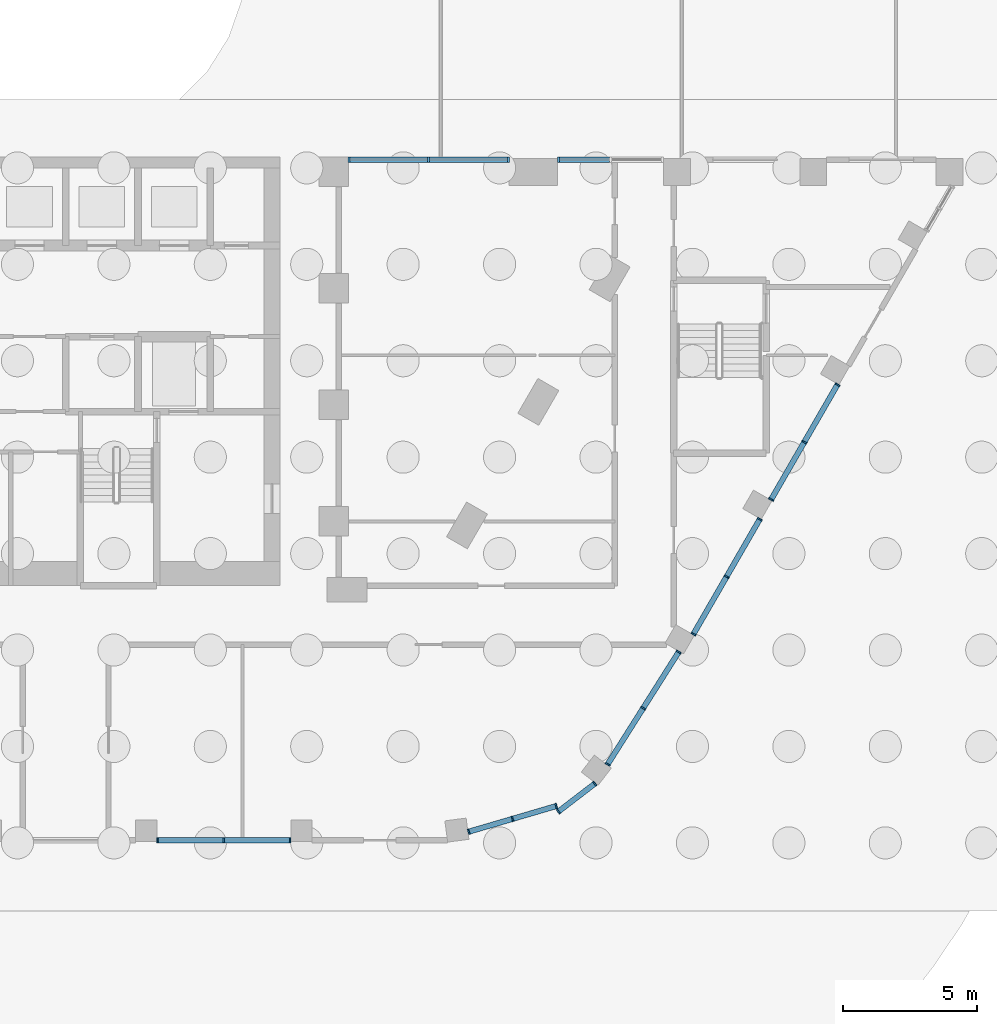
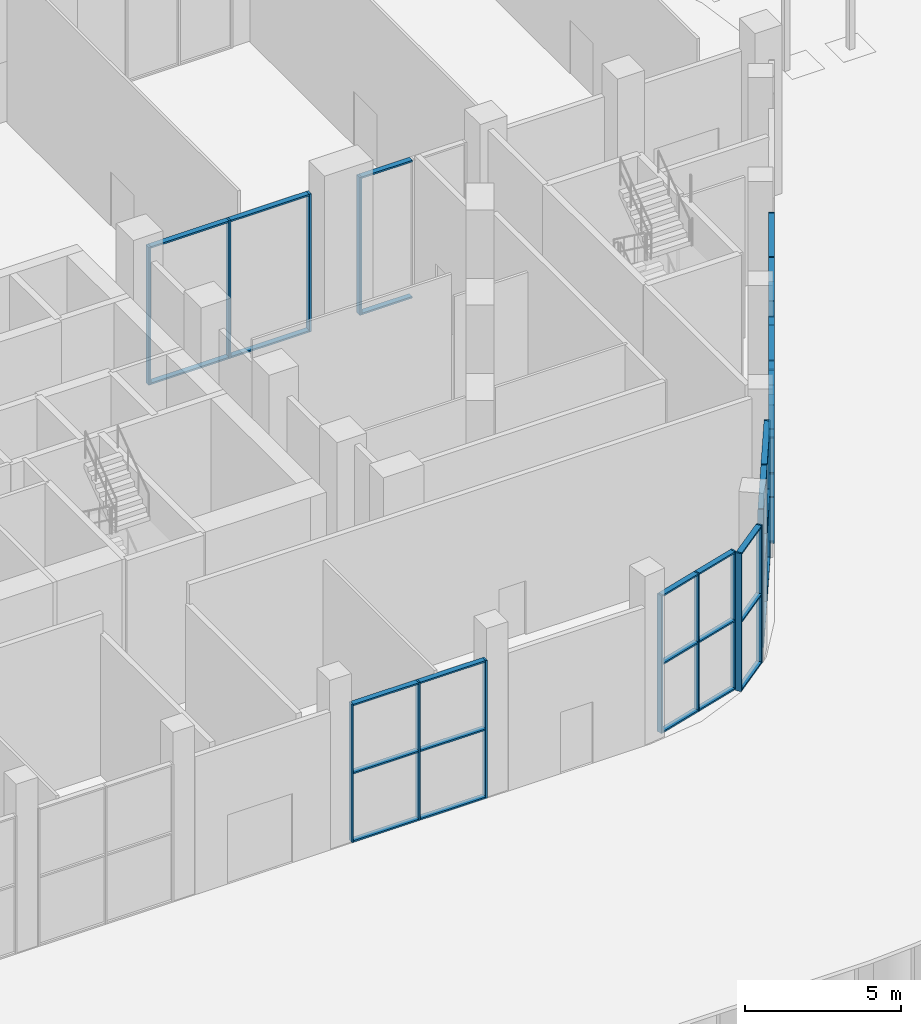
# One storey, part 10 of 44: 60 members, 8 elements without a shape of their own.
"""IFC4 building model written with IfcOpenShell, lengths in metres."""

from ifc_helpers import new_model, si_unit, direction, frame, origin, origin_2d, place, context, subcontext, project, spatial, rectangle, extrude, material, layer, layer_set, material_profile, profile_set, type_object, element, aggregate, save


model = new_model("IFC4")

# Units and contexts
model_context = context("Model", 3, precision=1e-05, world=origin(), true_north=direction((0.0, 1.0)))
body_context = subcontext(model_context, "Body", "Model", "MODEL_VIEW")
ifc_project = project(units=[si_unit("LENGTHUNIT", "METRE"), si_unit("AREAUNIT", "SQUARE_METRE"), si_unit("VOLUMEUNIT", "CUBIC_METRE"), si_unit("PLANEANGLEUNIT", "RADIAN"), si_unit("MASSUNIT", "GRAM", prefix="KILO")], contexts=[model_context])

# Site, building, storey
site_placement = place(None, origin())
site = spatial("IfcSite", under=ifc_project, at=site_placement, CompositionType="ELEMENT")
building_placement = place(site_placement, origin())
building = spatial("IfcBuilding", under=site, at=building_placement, Name="Nakaniwa Court", CompositionType="ELEMENT")
storey_placement = place(building_placement, origin())
storey = spatial("IfcBuildingStorey", under=building, at=storey_placement, Name="L00", CompositionType="ELEMENT", Elevation=0.0)

# Curtain wall, members
ifc_material_1 = material(Name="Black anodised aluminium frame with dark low-E laminated double glazing", Category="aluminium")
ifc_layer_1 = layer(ifc_material_1, 0.199951171875)
ifc_layer_set_1 = layer_set([ifc_layer_1], Name="Black anodised aluminium frame with dark low-E laminated double glazing")
curtain_wall_type_1 = type_object("IfcCurtainWallType", Name="Concourse stick curtain wall", PredefinedType="NOTDEFINED", material=ifc_layer_set_1)
curtain_wall_1_placement = place(storey_placement, origin())
curtain_wall_1 = element("IfcCurtainWall", 1, at=curtain_wall_1_placement, inside=storey, type_object=curtain_wall_type_1, Name="L00 curtain wall CW2 00", PredefinedType="NOTDEFINED")
ifc_material_2 = material(Name="Black anodised aluminium extrusion", Category="aluminium")
ifc_material_profile_1 = material_profile(ifc_material_2, rectangle(XDim=0.199951171875, YDim=0.06005859375, at=origin_2d()), Name="Concourse stick curtain wall mullion 60x200")
ifc_profile_set_1 = profile_set([ifc_material_profile_1], Name="Black anodised aluminium extrusion")
member_type_1 = type_object("IfcMemberType", Name="Concourse stick curtain wall mullion 60x200", PredefinedType="MULLION", material=ifc_profile_set_1)
member_1_placement = place(storey_placement, frame((103.437255859375, 54.794189453125, 0.0), z_axis=(0.0, 0.0, 1.0), x_axis=(-0.866037354758, 0.499979299736, 0.0)))
member_1 = element("IfcMember", 2, at=member_1_placement, type_object=member_type_1, Name="CW2 mullion 1", PredefinedType="MULLION", context=body_context, shape_type="SweptSolid", body=[
    extrude(rectangle(XDim=0.199951171875, YDim=0.06005859375, at=origin_2d()), origin(), (0.0, 0.0, 1.0), 5.39990234375),
])
member_2_placement = place(storey_placement, frame((104.6748046875, 56.93798828125, 0.0), z_axis=(0.0, 0.0, 1.0), x_axis=(-0.866037354758, 0.499979299736, 0.0)))
member_2 = element("IfcMember", 3, at=member_2_placement, type_object=member_type_1, Name="CW2 mullion 2", PredefinedType="MULLION", context=body_context, shape_type="SweptSolid", body=[
    extrude(rectangle(XDim=0.199951171875, YDim=0.06005859375, at=origin_2d()), origin(), (0.0, 0.0, 1.0), 5.39990234375),
])
member_3_placement = place(storey_placement, frame((105.912353515625, 59.08154296875, 0.0), z_axis=(0.0, 0.0, 1.0), x_axis=(-0.866037354758, 0.499979299736, 0.0)))
member_3 = element("IfcMember", 4, at=member_3_placement, type_object=member_type_1, Name="CW2 mullion 3", PredefinedType="MULLION", context=body_context, shape_type="SweptSolid", body=[
    extrude(rectangle(XDim=0.199951171875, YDim=0.06005859375, at=origin_2d()), origin(), (0.0, 0.0, 1.0), 5.39990234375),
])

curtain_wall_2_placement = place(storey_placement, origin())
curtain_wall_2 = element("IfcCurtainWall", 5, at=curtain_wall_2_placement, inside=storey, type_object=curtain_wall_type_1, Name="L00 curtain wall CW2 01", PredefinedType="NOTDEFINED")
member_4_placement = place(storey_placement, frame((106.33837890625, 59.8193359375, 0.0), z_axis=(0.0, 0.0, 1.0), x_axis=(-0.866032365426, 0.499987941889, 0.0)))
member_4 = element("IfcMember", 6, at=member_4_placement, type_object=member_type_1, Name="CW2 mullion 1", PredefinedType="MULLION", context=body_context, shape_type="SweptSolid", body=[
    extrude(rectangle(XDim=0.199951171875, YDim=0.06005859375, at=origin_2d()), origin(), (0.0, 0.0, 1.0), 5.39990234375),
])
member_5_placement = place(storey_placement, frame((107.575927734375, 61.962890625, 0.0), z_axis=(0.0, 0.0, 1.0), x_axis=(-0.866032365426, 0.499987941889, 0.0)))
member_5 = element("IfcMember", 7, at=member_5_placement, type_object=member_type_1, Name="CW2 mullion 2", PredefinedType="MULLION", context=body_context, shape_type="SweptSolid", body=[
    extrude(rectangle(XDim=0.199951171875, YDim=0.06005859375, at=origin_2d()), origin(), (0.0, 0.0, 1.0), 5.39990234375),
])
member_6_placement = place(storey_placement, frame((108.8134765625, 64.1064453125, 0.0), z_axis=(0.0, 0.0, 1.0), x_axis=(-0.866032365426, 0.499987941889, 0.0)))
member_6 = element("IfcMember", 8, at=member_6_placement, type_object=member_type_1, Name="CW2 mullion 3", PredefinedType="MULLION", context=body_context, shape_type="SweptSolid", body=[
    extrude(rectangle(XDim=0.199951171875, YDim=0.06005859375, at=origin_2d()), origin(), (0.0, 0.0, 1.0), 5.39990234375),
])

curtain_wall_3_placement = place(storey_placement, origin())
curtain_wall_3 = element("IfcCurtainWall", 9, at=curtain_wall_3_placement, inside=storey, type_object=curtain_wall_type_1, Name="L00 curtain wall CW2 22", PredefinedType="NOTDEFINED")
member_7_placement = place(storey_placement, frame((83.428466796875, 47.10009765625, 0.0), z_axis=(0.0, 0.0, 1.0), x_axis=(0.0, 1.0, 0.0)))
member_7 = element("IfcMember", 10, at=member_7_placement, type_object=member_type_1, Name="CW2 mullion 1", PredefinedType="MULLION", context=body_context, shape_type="SweptSolid", body=[
    extrude(rectangle(XDim=0.199951171875, YDim=0.06005859375, at=origin_2d()), origin(), (0.0, 0.0, 1.0), 5.39990234375),
])
member_8_placement = place(storey_placement, frame((85.903564453125, 47.10009765625, 0.0), z_axis=(0.0, 0.0, 1.0), x_axis=(0.0, 1.0, 0.0)))
member_8 = element("IfcMember", 11, at=member_8_placement, type_object=member_type_1, Name="CW2 mullion 2", PredefinedType="MULLION", context=body_context, shape_type="SweptSolid", body=[
    extrude(rectangle(XDim=0.199951171875, YDim=0.06005859375, at=origin_2d()), origin(), (0.0, 0.0, 1.0), 5.39990234375),
])
member_9_placement = place(storey_placement, frame((88.37890625, 47.10009765625, 0.0), z_axis=(0.0, 0.0, 1.0), x_axis=(0.0, 1.0, 0.0)))
member_9 = element("IfcMember", 12, at=member_9_placement, type_object=member_type_1, Name="CW2 mullion 3", PredefinedType="MULLION", context=body_context, shape_type="SweptSolid", body=[
    extrude(rectangle(XDim=0.199951171875, YDim=0.06005859375, at=origin_2d()), origin(), (0.0, 0.0, 1.0), 5.39990234375),
])

curtain_wall_4_placement = place(storey_placement, origin())
curtain_wall_4 = element("IfcCurtainWall", 13, at=curtain_wall_4_placement, inside=storey, type_object=curtain_wall_type_1, Name="L00 curtain wall CW2 24", PredefinedType="NOTDEFINED")
member_10_placement = place(storey_placement, frame((95.05029296875, 47.4169921875, 0.0), z_axis=(0.0, 0.0, 1.0), x_axis=(-0.281441998377, 0.959578241494, 0.0)))
member_10 = element("IfcMember", 14, at=member_10_placement, type_object=member_type_1, Name="CW2 mullion 1", PredefinedType="MULLION", context=body_context, shape_type="SweptSolid", body=[
    extrude(rectangle(XDim=0.199951171875, YDim=0.06005859375, at=origin_2d()), origin(), (0.0, 0.0, 1.0), 5.39990234375),
])
member_11_placement = place(storey_placement, frame((96.68212890625, 47.8955078125, 0.0), z_axis=(0.0, 0.0, 1.0), x_axis=(-0.281441998377, 0.959578241494, 0.0)))
member_11 = element("IfcMember", 15, at=member_11_placement, type_object=member_type_1, Name="CW2 mullion 2", PredefinedType="MULLION", context=body_context, shape_type="SweptSolid", body=[
    extrude(rectangle(XDim=0.199951171875, YDim=0.06005859375, at=origin_2d()), origin(), (0.0, 0.0, 1.0), 5.39990234375),
])
member_12_placement = place(storey_placement, frame((98.31396484375, 48.374267578125, 0.0), z_axis=(0.0, 0.0, 1.0), x_axis=(-0.281441998377, 0.959578241494, 0.0)))
member_12 = element("IfcMember", 16, at=member_12_placement, type_object=member_type_1, Name="CW2 mullion 3", PredefinedType="MULLION", context=body_context, shape_type="SweptSolid", body=[
    extrude(rectangle(XDim=0.199951171875, YDim=0.06005859375, at=origin_2d()), origin(), (0.0, 0.0, 1.0), 5.39990234375),
])

curtain_wall_5_placement = place(storey_placement, origin())
curtain_wall_5 = element("IfcCurtainWall", 17, at=curtain_wall_5_placement, inside=storey, type_object=curtain_wall_type_1, Name="L00 curtain wall CW2 25", PredefinedType="NOTDEFINED")
member_13_placement = place(storey_placement, frame((98.396728515625, 48.16943359375, 0.0), z_axis=(0.0, 0.0, 1.0), x_axis=(-0.608772408689, 0.793344915165, 0.0)))
member_13 = element("IfcMember", 18, at=member_13_placement, type_object=member_type_1, Name="CW2 mullion 1", PredefinedType="MULLION", context=body_context, shape_type="SweptSolid", body=[
    extrude(rectangle(XDim=0.199951171875, YDim=0.06005859375, at=origin_2d()), origin(), (0.0, 0.0, 1.0), 5.39990234375),
])
member_14_placement = place(storey_placement, frame((99.751220703125, 49.208740234375, 0.0), z_axis=(0.0, 0.0, 1.0), x_axis=(-0.608772408689, 0.793344915165, 0.0)))
member_14 = element("IfcMember", 19, at=member_14_placement, type_object=member_type_1, Name="CW2 mullion 2", PredefinedType="MULLION", context=body_context, shape_type="SweptSolid", body=[
    extrude(rectangle(XDim=0.199951171875, YDim=0.06005859375, at=origin_2d()), origin(), (0.0, 0.0, 1.0), 5.39990234375),
])

curtain_wall_6_placement = place(storey_placement, origin())
curtain_wall_6 = element("IfcCurtainWall", 20, at=curtain_wall_6_placement, inside=storey, type_object=curtain_wall_type_1, Name="L00 curtain wall CW2 26", PredefinedType="NOTDEFINED")
member_15_placement = place(storey_placement, frame((100.234130859375, 49.932861328125, 0.0), z_axis=(0.0, 0.0, 1.0), x_axis=(-0.845107295343, 0.534596725914, 0.0)))
member_15 = element("IfcMember", 21, at=member_15_placement, type_object=member_type_1, Name="CW2 mullion 1", PredefinedType="MULLION", context=body_context, shape_type="SweptSolid", body=[
    extrude(rectangle(XDim=0.199951171875, YDim=0.06005859375, at=origin_2d()), origin(), (0.0, 0.0, 1.0), 5.39990234375),
])
member_16_placement = place(storey_placement, frame((101.560546875, 52.029541015625, 0.0), z_axis=(0.0, 0.0, 1.0), x_axis=(-0.845107295343, 0.534596725914, 0.0)))
member_16 = element("IfcMember", 22, at=member_16_placement, type_object=member_type_1, Name="CW2 mullion 2", PredefinedType="MULLION", context=body_context, shape_type="SweptSolid", body=[
    extrude(rectangle(XDim=0.199951171875, YDim=0.06005859375, at=origin_2d()), origin(), (0.0, 0.0, 1.0), 5.39990234375),
])
member_17_placement = place(storey_placement, frame((102.88671875, 54.1259765625, 0.0), z_axis=(0.0, 0.0, 1.0), x_axis=(-0.845107295343, 0.534596725914, 0.0)))
member_17 = element("IfcMember", 23, at=member_17_placement, type_object=member_type_1, Name="CW2 mullion 3", PredefinedType="MULLION", context=body_context, shape_type="SweptSolid", body=[
    extrude(rectangle(XDim=0.199951171875, YDim=0.06005859375, at=origin_2d()), origin(), (0.0, 0.0, 1.0), 5.39990234375),
])

# Member
ifc_material_profile_2 = material_profile(ifc_material_2, rectangle(XDim=0.199951171875, YDim=0.06005859375, at=origin_2d()), Name="Concourse stick curtain wall transom 60x200")
ifc_profile_set_2 = profile_set([ifc_material_profile_2], Name="Black anodised aluminium extrusion")
member_type_2 = type_object("IfcMemberType", Name="Concourse stick curtain wall transom 60x200", PredefinedType="USERDEFINED", material=ifc_profile_set_2)
member_18_placement = place(storey_placement, frame((103.4521484375, 54.8203125, 0.030029296875), z_axis=(0.499987887718, 0.866032396701, 0.0), x_axis=(-0.866032396701, 0.499987887718, 0.0)))
member_18 = element("IfcMember", 24, at=member_18_placement, type_object=member_type_2, Name="CW2 transom 1.1", ObjectType="TRANSOM", PredefinedType="USERDEFINED", context=body_context, shape_type="SweptSolid", body=[
    extrude(rectangle(XDim=0.199951171875, YDim=0.06005859375, at=origin_2d()), origin(), (0.0, 0.0, 1.0), 2.4150390625),
])

member_19_placement = place(storey_placement, frame((103.4521484375, 54.8203125, 2.699951171875), z_axis=(0.499987887718, 0.866032396701, 0.0), x_axis=(-0.866032396701, 0.499987887718, 0.0)))
member_19 = element("IfcMember", 25, at=member_19_placement, type_object=member_type_2, Name="CW2 transom 1.2", ObjectType="TRANSOM", PredefinedType="USERDEFINED", context=body_context, shape_type="SweptSolid", body=[
    extrude(rectangle(XDim=0.199951171875, YDim=0.06005859375, at=origin_2d()), origin(), (0.0, 0.0, 1.0), 2.4150390625),
])

member_20_placement = place(storey_placement, frame((103.4521484375, 54.8203125, 5.3701171875), z_axis=(0.499987887718, 0.866032396701, 0.0), x_axis=(-0.866032396701, 0.499987887718, 0.0)))
member_20 = element("IfcMember", 26, at=member_20_placement, type_object=member_type_2, Name="CW2 transom 1.3", ObjectType="TRANSOM", PredefinedType="USERDEFINED", context=body_context, shape_type="SweptSolid", body=[
    extrude(rectangle(XDim=0.199951171875, YDim=0.06005859375, at=origin_2d()), origin(), (0.0, 0.0, 1.0), 2.4150390625),
])

member_21_placement = place(storey_placement, frame((104.689697265625, 56.9638671875, 0.030029296875), z_axis=(0.499987887718, 0.866032396701, 0.0), x_axis=(-0.866032396701, 0.499987887718, 0.0)))
member_21 = element("IfcMember", 27, at=member_21_placement, type_object=member_type_2, Name="CW2 transom 2.1", ObjectType="TRANSOM", PredefinedType="USERDEFINED", context=body_context, shape_type="SweptSolid", body=[
    extrude(rectangle(XDim=0.199951171875, YDim=0.06005859375, at=origin_2d()), origin(), (0.0, 0.0, 1.0), 2.4150390625),
])

member_22_placement = place(storey_placement, frame((104.689697265625, 56.9638671875, 2.699951171875), z_axis=(0.499987887718, 0.866032396701, 0.0), x_axis=(-0.866032396701, 0.499987887718, 0.0)))
member_22 = element("IfcMember", 28, at=member_22_placement, type_object=member_type_2, Name="CW2 transom 2.2", ObjectType="TRANSOM", PredefinedType="USERDEFINED", context=body_context, shape_type="SweptSolid", body=[
    extrude(rectangle(XDim=0.199951171875, YDim=0.06005859375, at=origin_2d()), origin(), (0.0, 0.0, 1.0), 2.4150390625),
])

member_23_placement = place(storey_placement, frame((104.689697265625, 56.9638671875, 5.3701171875), z_axis=(0.499987887718, 0.866032396701, 0.0), x_axis=(-0.866032396701, 0.499987887718, 0.0)))
member_23 = element("IfcMember", 29, at=member_23_placement, type_object=member_type_2, Name="CW2 transom 2.3", ObjectType="TRANSOM", PredefinedType="USERDEFINED", context=body_context, shape_type="SweptSolid", body=[
    extrude(rectangle(XDim=0.199951171875, YDim=0.06005859375, at=origin_2d()), origin(), (0.0, 0.0, 1.0), 2.4150390625),
])

aggregate(curtain_wall_1, [member_1, member_2, member_3, member_18, member_19, member_20, member_21, member_22, member_23])

member_24_placement = place(storey_placement, frame((106.353271484375, 59.84521484375, 0.030029296875), z_axis=(0.499987887718, 0.866032396701, 0.0), x_axis=(-0.866032396701, 0.499987887718, 0.0)))
member_24 = element("IfcMember", 30, at=member_24_placement, type_object=member_type_2, Name="CW2 transom 1.1", ObjectType="TRANSOM", PredefinedType="USERDEFINED", context=body_context, shape_type="SweptSolid", body=[
    extrude(rectangle(XDim=0.199951171875, YDim=0.06005859375, at=origin_2d()), origin(), (0.0, 0.0, 1.0), 2.4150390625),
])

member_25_placement = place(storey_placement, frame((106.353271484375, 59.84521484375, 2.699951171875), z_axis=(0.499987887718, 0.866032396701, 0.0), x_axis=(-0.866032396701, 0.499987887718, 0.0)))
member_25 = element("IfcMember", 31, at=member_25_placement, type_object=member_type_2, Name="CW2 transom 1.2", ObjectType="TRANSOM", PredefinedType="USERDEFINED", context=body_context, shape_type="SweptSolid", body=[
    extrude(rectangle(XDim=0.199951171875, YDim=0.06005859375, at=origin_2d()), origin(), (0.0, 0.0, 1.0), 2.4150390625),
])

member_26_placement = place(storey_placement, frame((106.353271484375, 59.84521484375, 5.3701171875), z_axis=(0.499987887718, 0.866032396701, 0.0), x_axis=(-0.866032396701, 0.499987887718, 0.0)))
member_26 = element("IfcMember", 32, at=member_26_placement, type_object=member_type_2, Name="CW2 transom 1.3", ObjectType="TRANSOM", PredefinedType="USERDEFINED", context=body_context, shape_type="SweptSolid", body=[
    extrude(rectangle(XDim=0.199951171875, YDim=0.06005859375, at=origin_2d()), origin(), (0.0, 0.0, 1.0), 2.4150390625),
])

member_27_placement = place(storey_placement, frame((107.5908203125, 61.98876953125, 0.030029296875), z_axis=(0.499987887718, 0.866032396701, 0.0), x_axis=(-0.866032396701, 0.499987887718, 0.0)))
member_27 = element("IfcMember", 33, at=member_27_placement, type_object=member_type_2, Name="CW2 transom 2.1", ObjectType="TRANSOM", PredefinedType="USERDEFINED", context=body_context, shape_type="SweptSolid", body=[
    extrude(rectangle(XDim=0.199951171875, YDim=0.06005859375, at=origin_2d()), origin(), (0.0, 0.0, 1.0), 2.4150390625),
])

member_28_placement = place(storey_placement, frame((107.5908203125, 61.98876953125, 2.699951171875), z_axis=(0.499987887718, 0.866032396701, 0.0), x_axis=(-0.866032396701, 0.499987887718, 0.0)))
member_28 = element("IfcMember", 34, at=member_28_placement, type_object=member_type_2, Name="CW2 transom 2.2", ObjectType="TRANSOM", PredefinedType="USERDEFINED", context=body_context, shape_type="SweptSolid", body=[
    extrude(rectangle(XDim=0.199951171875, YDim=0.06005859375, at=origin_2d()), origin(), (0.0, 0.0, 1.0), 2.4150390625),
])

member_29_placement = place(storey_placement, frame((107.5908203125, 61.98876953125, 5.3701171875), z_axis=(0.499987887718, 0.866032396701, 0.0), x_axis=(-0.866032396701, 0.499987887718, 0.0)))
member_29 = element("IfcMember", 35, at=member_29_placement, type_object=member_type_2, Name="CW2 transom 2.3", ObjectType="TRANSOM", PredefinedType="USERDEFINED", context=body_context, shape_type="SweptSolid", body=[
    extrude(rectangle(XDim=0.199951171875, YDim=0.06005859375, at=origin_2d()), origin(), (0.0, 0.0, 1.0), 2.4150390625),
])

aggregate(curtain_wall_2, [member_4, member_5, member_6, member_24, member_25, member_26, member_27, member_28, member_29])

member_30_placement = place(storey_placement, frame((83.45849609375, 47.10009765625, 0.030029296875), z_axis=(1.0, 0.0, 0.0), x_axis=(0.0, 1.0, 0.0)))
member_30 = element("IfcMember", 36, at=member_30_placement, type_object=member_type_2, Name="CW2 transom 1.1", ObjectType="TRANSOM", PredefinedType="USERDEFINED", context=body_context, shape_type="SweptSolid", body=[
    extrude(rectangle(XDim=0.199951171875, YDim=0.06005859375, at=origin_2d()), origin(), (0.0, 0.0, 1.0), 2.4150390625),
])

member_31_placement = place(storey_placement, frame((83.45849609375, 47.10009765625, 2.699951171875), z_axis=(1.0, 0.0, 0.0), x_axis=(0.0, 1.0, 0.0)))
member_31 = element("IfcMember", 37, at=member_31_placement, type_object=member_type_2, Name="CW2 transom 1.2", ObjectType="TRANSOM", PredefinedType="USERDEFINED", context=body_context, shape_type="SweptSolid", body=[
    extrude(rectangle(XDim=0.199951171875, YDim=0.06005859375, at=origin_2d()), origin(), (0.0, 0.0, 1.0), 2.4150390625),
])

member_32_placement = place(storey_placement, frame((83.45849609375, 47.10009765625, 5.3701171875), z_axis=(1.0, 0.0, 0.0), x_axis=(0.0, 1.0, 0.0)))
member_32 = element("IfcMember", 38, at=member_32_placement, type_object=member_type_2, Name="CW2 transom 1.3", ObjectType="TRANSOM", PredefinedType="USERDEFINED", context=body_context, shape_type="SweptSolid", body=[
    extrude(rectangle(XDim=0.199951171875, YDim=0.06005859375, at=origin_2d()), origin(), (0.0, 0.0, 1.0), 2.4150390625),
])

member_33_placement = place(storey_placement, frame((85.93359375, 47.10009765625, 0.030029296875), z_axis=(1.0, 0.0, 0.0), x_axis=(0.0, 1.0, 0.0)))
member_33 = element("IfcMember", 39, at=member_33_placement, type_object=member_type_2, Name="CW2 transom 2.1", ObjectType="TRANSOM", PredefinedType="USERDEFINED", context=body_context, shape_type="SweptSolid", body=[
    extrude(rectangle(XDim=0.199951171875, YDim=0.06005859375, at=origin_2d()), origin(), (0.0, 0.0, 1.0), 2.415283203125),
])

member_34_placement = place(storey_placement, frame((85.93359375, 47.10009765625, 2.699951171875), z_axis=(1.0, 0.0, 0.0), x_axis=(0.0, 1.0, 0.0)))
member_34 = element("IfcMember", 40, at=member_34_placement, type_object=member_type_2, Name="CW2 transom 2.2", ObjectType="TRANSOM", PredefinedType="USERDEFINED", context=body_context, shape_type="SweptSolid", body=[
    extrude(rectangle(XDim=0.199951171875, YDim=0.06005859375, at=origin_2d()), origin(), (0.0, 0.0, 1.0), 2.415283203125),
])

member_35_placement = place(storey_placement, frame((85.93359375, 47.10009765625, 5.3701171875), z_axis=(1.0, 0.0, 0.0), x_axis=(0.0, 1.0, 0.0)))
member_35 = element("IfcMember", 41, at=member_35_placement, type_object=member_type_2, Name="CW2 transom 2.3", ObjectType="TRANSOM", PredefinedType="USERDEFINED", context=body_context, shape_type="SweptSolid", body=[
    extrude(rectangle(XDim=0.199951171875, YDim=0.06005859375, at=origin_2d()), origin(), (0.0, 0.0, 1.0), 2.415283203125),
])

aggregate(curtain_wall_3, [member_7, member_8, member_9, member_30, member_31, member_32, member_33, member_34, member_35])

member_36_placement = place(storey_placement, frame((95.0791015625, 47.42529296875, 0.030029296875), z_axis=(0.959545398178, 0.281553953684, 0.0), x_axis=(-0.281553953684, 0.959545398178, 0.0)))
member_36 = element("IfcMember", 42, at=member_36_placement, type_object=member_type_2, Name="CW2 transom 1.1", ObjectType="TRANSOM", PredefinedType="USERDEFINED", context=body_context, shape_type="SweptSolid", body=[
    extrude(rectangle(XDim=0.199951171875, YDim=0.06005859375, at=origin_2d()), origin(), (0.0, 0.0, 1.0), 1.640625),
])

member_37_placement = place(storey_placement, frame((95.0791015625, 47.42529296875, 2.699951171875), z_axis=(0.959545398178, 0.281553953684, 0.0), x_axis=(-0.281553953684, 0.959545398178, 0.0)))
member_37 = element("IfcMember", 43, at=member_37_placement, type_object=member_type_2, Name="CW2 transom 1.2", ObjectType="TRANSOM", PredefinedType="USERDEFINED", context=body_context, shape_type="SweptSolid", body=[
    extrude(rectangle(XDim=0.199951171875, YDim=0.06005859375, at=origin_2d()), origin(), (0.0, 0.0, 1.0), 1.640625),
])

member_38_placement = place(storey_placement, frame((95.0791015625, 47.42529296875, 5.3701171875), z_axis=(0.959545398178, 0.281553953684, 0.0), x_axis=(-0.281553953684, 0.959545398178, 0.0)))
member_38 = element("IfcMember", 44, at=member_38_placement, type_object=member_type_2, Name="CW2 transom 1.3", ObjectType="TRANSOM", PredefinedType="USERDEFINED", context=body_context, shape_type="SweptSolid", body=[
    extrude(rectangle(XDim=0.199951171875, YDim=0.06005859375, at=origin_2d()), origin(), (0.0, 0.0, 1.0), 1.640625),
])

member_39_placement = place(storey_placement, frame((96.7109375, 47.904052734375, 0.030029296875), z_axis=(0.95958559393, 0.281416928989, 0.0), x_axis=(-0.281416928989, 0.95958559393, 0.0)))
member_39 = element("IfcMember", 45, at=member_39_placement, type_object=member_type_2, Name="CW2 transom 2.1", ObjectType="TRANSOM", PredefinedType="USERDEFINED", context=body_context, shape_type="SweptSolid", body=[
    extrude(rectangle(XDim=0.199951171875, YDim=0.06005859375, at=origin_2d()), origin(), (0.0, 0.0, 1.0), 1.640625),
])

member_40_placement = place(storey_placement, frame((96.7109375, 47.904052734375, 2.699951171875), z_axis=(0.95958559393, 0.281416928989, 0.0), x_axis=(-0.281416928989, 0.95958559393, 0.0)))
member_40 = element("IfcMember", 46, at=member_40_placement, type_object=member_type_2, Name="CW2 transom 2.2", ObjectType="TRANSOM", PredefinedType="USERDEFINED", context=body_context, shape_type="SweptSolid", body=[
    extrude(rectangle(XDim=0.199951171875, YDim=0.06005859375, at=origin_2d()), origin(), (0.0, 0.0, 1.0), 1.640625),
])

member_41_placement = place(storey_placement, frame((96.7109375, 47.904052734375, 5.3701171875), z_axis=(0.95958559393, 0.281416928989, 0.0), x_axis=(-0.281416928989, 0.95958559393, 0.0)))
member_41 = element("IfcMember", 47, at=member_41_placement, type_object=member_type_2, Name="CW2 transom 2.3", ObjectType="TRANSOM", PredefinedType="USERDEFINED", context=body_context, shape_type="SweptSolid", body=[
    extrude(rectangle(XDim=0.199951171875, YDim=0.06005859375, at=origin_2d()), origin(), (0.0, 0.0, 1.0), 1.640625),
])

aggregate(curtain_wall_4, [member_10, member_11, member_12, member_36, member_37, member_38, member_39, member_40, member_41])

member_42_placement = place(storey_placement, frame((98.42041015625, 48.187744140625, 0.030029296875), z_axis=(0.793389227658, 0.608714656827, 0.0), x_axis=(-0.608714656827, 0.793389227658, 0.0)))
member_42 = element("IfcMember", 48, at=member_42_placement, type_object=member_type_2, Name="CW2 transom 1.1", ObjectType="TRANSOM", PredefinedType="USERDEFINED", context=body_context, shape_type="SweptSolid", body=[
    extrude(rectangle(XDim=0.199951171875, YDim=0.06005859375, at=origin_2d()), origin(), (0.0, 0.0, 1.0), 1.647216796875),
])

member_43_placement = place(storey_placement, frame((98.42041015625, 48.187744140625, 2.699951171875), z_axis=(0.793389227658, 0.608714656827, 0.0), x_axis=(-0.608714656827, 0.793389227658, 0.0)))
member_43 = element("IfcMember", 49, at=member_43_placement, type_object=member_type_2, Name="CW2 transom 1.2", ObjectType="TRANSOM", PredefinedType="USERDEFINED", context=body_context, shape_type="SweptSolid", body=[
    extrude(rectangle(XDim=0.199951171875, YDim=0.06005859375, at=origin_2d()), origin(), (0.0, 0.0, 1.0), 1.647216796875),
])

member_44_placement = place(storey_placement, frame((98.42041015625, 48.187744140625, 5.3701171875), z_axis=(0.793389227658, 0.608714656827, 0.0), x_axis=(-0.608714656827, 0.793389227658, 0.0)))
member_44 = element("IfcMember", 50, at=member_44_placement, type_object=member_type_2, Name="CW2 transom 1.3", ObjectType="TRANSOM", PredefinedType="USERDEFINED", context=body_context, shape_type="SweptSolid", body=[
    extrude(rectangle(XDim=0.199951171875, YDim=0.06005859375, at=origin_2d()), origin(), (0.0, 0.0, 1.0), 1.647216796875),
])

aggregate(curtain_wall_5, [member_13, member_14, member_42, member_43, member_44])

member_45_placement = place(storey_placement, frame((100.250244140625, 49.958251953125, 0.030029296875), z_axis=(0.534596147172, 0.845107661442, 0.0), x_axis=(-0.845107661442, 0.534596147172, 0.0)))
member_45 = element("IfcMember", 51, at=member_45_placement, type_object=member_type_2, Name="CW2 transom 1.1", ObjectType="TRANSOM", PredefinedType="USERDEFINED", context=body_context, shape_type="SweptSolid", body=[
    extrude(rectangle(XDim=0.199951171875, YDim=0.06005859375, at=origin_2d()), origin(), (0.0, 0.0, 1.0), 2.4208984375),
])

member_46_placement = place(storey_placement, frame((100.250244140625, 49.958251953125, 2.699951171875), z_axis=(0.534596147172, 0.845107661442, 0.0), x_axis=(-0.845107661442, 0.534596147172, 0.0)))
member_46 = element("IfcMember", 52, at=member_46_placement, type_object=member_type_2, Name="CW2 transom 1.2", ObjectType="TRANSOM", PredefinedType="USERDEFINED", context=body_context, shape_type="SweptSolid", body=[
    extrude(rectangle(XDim=0.199951171875, YDim=0.06005859375, at=origin_2d()), origin(), (0.0, 0.0, 1.0), 2.4208984375),
])

member_47_placement = place(storey_placement, frame((100.250244140625, 49.958251953125, 5.3701171875), z_axis=(0.534596147172, 0.845107661442, 0.0), x_axis=(-0.845107661442, 0.534596147172, 0.0)))
member_47 = element("IfcMember", 53, at=member_47_placement, type_object=member_type_2, Name="CW2 transom 1.3", ObjectType="TRANSOM", PredefinedType="USERDEFINED", context=body_context, shape_type="SweptSolid", body=[
    extrude(rectangle(XDim=0.199951171875, YDim=0.06005859375, at=origin_2d()), origin(), (0.0, 0.0, 1.0), 2.4208984375),
])

member_48_placement = place(storey_placement, frame((101.576416015625, 52.0546875, 0.030029296875), z_axis=(0.534596147172, 0.845107661442, 0.0), x_axis=(-0.845107661442, 0.534596147172, 0.0)))
member_48 = element("IfcMember", 54, at=member_48_placement, type_object=member_type_2, Name="CW2 transom 2.1", ObjectType="TRANSOM", PredefinedType="USERDEFINED", context=body_context, shape_type="SweptSolid", body=[
    extrude(rectangle(XDim=0.199951171875, YDim=0.06005859375, at=origin_2d()), origin(), (0.0, 0.0, 1.0), 2.4208984375),
])

member_49_placement = place(storey_placement, frame((101.576416015625, 52.0546875, 2.699951171875), z_axis=(0.534596147172, 0.845107661442, 0.0), x_axis=(-0.845107661442, 0.534596147172, 0.0)))
member_49 = element("IfcMember", 55, at=member_49_placement, type_object=member_type_2, Name="CW2 transom 2.2", ObjectType="TRANSOM", PredefinedType="USERDEFINED", context=body_context, shape_type="SweptSolid", body=[
    extrude(rectangle(XDim=0.199951171875, YDim=0.06005859375, at=origin_2d()), origin(), (0.0, 0.0, 1.0), 2.4208984375),
])

member_50_placement = place(storey_placement, frame((101.576416015625, 52.0546875, 5.3701171875), z_axis=(0.534596147172, 0.845107661442, 0.0), x_axis=(-0.845107661442, 0.534596147172, 0.0)))
member_50 = element("IfcMember", 56, at=member_50_placement, type_object=member_type_2, Name="CW2 transom 2.3", ObjectType="TRANSOM", PredefinedType="USERDEFINED", context=body_context, shape_type="SweptSolid", body=[
    extrude(rectangle(XDim=0.199951171875, YDim=0.06005859375, at=origin_2d()), origin(), (0.0, 0.0, 1.0), 2.4208984375),
])

aggregate(curtain_wall_6, [member_15, member_16, member_17, member_45, member_46, member_47, member_48, member_49, member_50])

# Curtain wall, member
ifc_layer_2 = layer(ifc_material_1, 0.199951171875)
ifc_layer_set_2 = layer_set([ifc_layer_2], Name="Black anodised aluminium frame with dark low-E laminated double glazing")
curtain_wall_type_2 = type_object("IfcCurtainWallType", Name="Portal side curtain wall", PredefinedType="NOTDEFINED", material=ifc_layer_set_2)
curtain_wall_7_placement = place(storey_placement, origin())
curtain_wall_7 = element("IfcCurtainWall", 57, at=curtain_wall_7_placement, inside=storey, type_object=curtain_wall_type_2, Name="L00 curtain wall CW5 06", PredefinedType="NOTDEFINED")
ifc_material_profile_3 = material_profile(ifc_material_2, rectangle(XDim=0.199951171875, YDim=0.074951171875, at=origin_2d()), Name="Portal side curtain wall mullion 75x200")
ifc_profile_set_3 = profile_set([ifc_material_profile_3], Name="Black anodised aluminium extrusion")
member_type_3 = type_object("IfcMemberType", Name="Portal side curtain wall mullion 75x200", PredefinedType="MULLION", material=ifc_profile_set_3)
member_51_placement = place(storey_placement, frame((98.3916015625, 72.5, 0.0), z_axis=(0.0, 0.0, 1.0), x_axis=(0.0, -1.0, 0.0)))
member_51 = element("IfcMember", 58, at=member_51_placement, type_object=member_type_3, Name="CW5 mullion 3", PredefinedType="MULLION", context=body_context, shape_type="SweptSolid", body=[
    extrude(rectangle(XDim=0.199951171875, YDim=0.074951171875, at=origin_2d()), origin(), (0.0, 0.0, 1.0), 5.39990234375),
])

# Curtain wall, members
curtain_wall_8_placement = place(storey_placement, origin())
curtain_wall_8 = element("IfcCurtainWall", 59, at=curtain_wall_8_placement, inside=storey, type_object=curtain_wall_type_2, Name="L00 curtain wall CW5 07", PredefinedType="NOTDEFINED")
member_52_placement = place(storey_placement, frame((96.5244140625, 72.5, 0.0), z_axis=(0.0, 0.0, 1.0), x_axis=(0.0, -1.0, 0.0)))
member_52 = element("IfcMember", 60, at=member_52_placement, type_object=member_type_3, Name="CW5 mullion 1", PredefinedType="MULLION", context=body_context, shape_type="SweptSolid", body=[
    extrude(rectangle(XDim=0.199951171875, YDim=0.074951171875, at=origin_2d()), origin(), (0.0, 0.0, 1.0), 5.39990234375),
])
member_53_placement = place(storey_placement, frame((93.553955078125, 72.5, 0.0), z_axis=(0.0, 0.0, 1.0), x_axis=(0.0, -1.0, 0.0)))
member_53 = element("IfcMember", 61, at=member_53_placement, type_object=member_type_3, Name="CW5 mullion 2", PredefinedType="MULLION", context=body_context, shape_type="SweptSolid", body=[
    extrude(rectangle(XDim=0.199951171875, YDim=0.074951171875, at=origin_2d()), origin(), (0.0, 0.0, 1.0), 5.39990234375),
])
member_54_placement = place(storey_placement, frame((90.58349609375, 72.5, 0.0), z_axis=(0.0, 0.0, 1.0), x_axis=(0.0, -1.0, 0.0)))
member_54 = element("IfcMember", 62, at=member_54_placement, type_object=member_type_3, Name="CW5 mullion 3", PredefinedType="MULLION", context=body_context, shape_type="SweptSolid", body=[
    extrude(rectangle(XDim=0.199951171875, YDim=0.074951171875, at=origin_2d()), origin(), (0.0, 0.0, 1.0), 5.39990234375),
])

# Member
ifc_material_profile_4 = material_profile(ifc_material_2, rectangle(XDim=0.199951171875, YDim=0.06494140625, at=origin_2d()), Name="Portal side curtain wall transom 65x200")
ifc_profile_set_4 = profile_set([ifc_material_profile_4], Name="Black anodised aluminium extrusion")
member_type_4 = type_object("IfcMemberType", Name="Portal side curtain wall transom 65x200", PredefinedType="USERDEFINED", material=ifc_profile_set_4)
member_55_placement = place(storey_placement, frame((100.302978515625, 72.5, 0.032470703125), z_axis=(-1.0, 0.0, 0.0), x_axis=(0.0, -1.0, 0.0)))
member_55 = element("IfcMember", 63, at=member_55_placement, type_object=member_type_4, Name="CW5 transom 2.1", ObjectType="TRANSOM", PredefinedType="USERDEFINED", context=body_context, shape_type="SweptSolid", body=[
    extrude(rectangle(XDim=0.199951171875, YDim=0.06494140625, at=origin_2d()), origin(), (0.0, 0.0, 1.0), 1.8740234375),
])

member_56_placement = place(storey_placement, frame((100.302978515625, 72.5, 5.367431640625), z_axis=(-1.0, 0.0, 0.0), x_axis=(0.0, -1.0, 0.0)))
member_56 = element("IfcMember", 64, at=member_56_placement, type_object=member_type_4, Name="CW5 transom 2.2", ObjectType="TRANSOM", PredefinedType="USERDEFINED", context=body_context, shape_type="SweptSolid", body=[
    extrude(rectangle(XDim=0.199951171875, YDim=0.06494140625, at=origin_2d()), origin(), (0.0, 0.0, 1.0), 1.8740234375),
])

aggregate(curtain_wall_7, [member_51, member_55, member_56])

member_57_placement = place(storey_placement, frame((96.487060546875, 72.5, 0.032470703125), z_axis=(-1.0, 0.0, 0.0), x_axis=(0.0, -1.0, 0.0)))
member_57 = element("IfcMember", 65, at=member_57_placement, type_object=member_type_4, Name="CW5 transom 1.1", ObjectType="TRANSOM", PredefinedType="USERDEFINED", context=body_context, shape_type="SweptSolid", body=[
    extrude(rectangle(XDim=0.199951171875, YDim=0.06494140625, at=origin_2d()), origin(), (0.0, 0.0, 1.0), 2.8955078125),
])

member_58_placement = place(storey_placement, frame((96.487060546875, 72.5, 5.367431640625), z_axis=(-1.0, 0.0, 0.0), x_axis=(0.0, -1.0, 0.0)))
member_58 = element("IfcMember", 66, at=member_58_placement, type_object=member_type_4, Name="CW5 transom 1.2", ObjectType="TRANSOM", PredefinedType="USERDEFINED", context=body_context, shape_type="SweptSolid", body=[
    extrude(rectangle(XDim=0.199951171875, YDim=0.06494140625, at=origin_2d()), origin(), (0.0, 0.0, 1.0), 2.8955078125),
])

member_59_placement = place(storey_placement, frame((93.5166015625, 72.5, 0.032470703125), z_axis=(-1.0, 0.0, 0.0), x_axis=(0.0, -1.0, 0.0)))
member_59 = element("IfcMember", 67, at=member_59_placement, type_object=member_type_4, Name="CW5 transom 2.1", ObjectType="TRANSOM", PredefinedType="USERDEFINED", context=body_context, shape_type="SweptSolid", body=[
    extrude(rectangle(XDim=0.199951171875, YDim=0.06494140625, at=origin_2d()), origin(), (0.0, 0.0, 1.0), 2.8955078125),
])

member_60_placement = place(storey_placement, frame((93.5166015625, 72.5, 5.367431640625), z_axis=(-1.0, 0.0, 0.0), x_axis=(0.0, -1.0, 0.0)))
member_60 = element("IfcMember", 68, at=member_60_placement, type_object=member_type_4, Name="CW5 transom 2.2", ObjectType="TRANSOM", PredefinedType="USERDEFINED", context=body_context, shape_type="SweptSolid", body=[
    extrude(rectangle(XDim=0.199951171875, YDim=0.06494140625, at=origin_2d()), origin(), (0.0, 0.0, 1.0), 2.8955078125),
])

aggregate(curtain_wall_8, [member_52, member_53, member_54, member_57, member_58, member_59, member_60])

save(model, "model.ifc")
